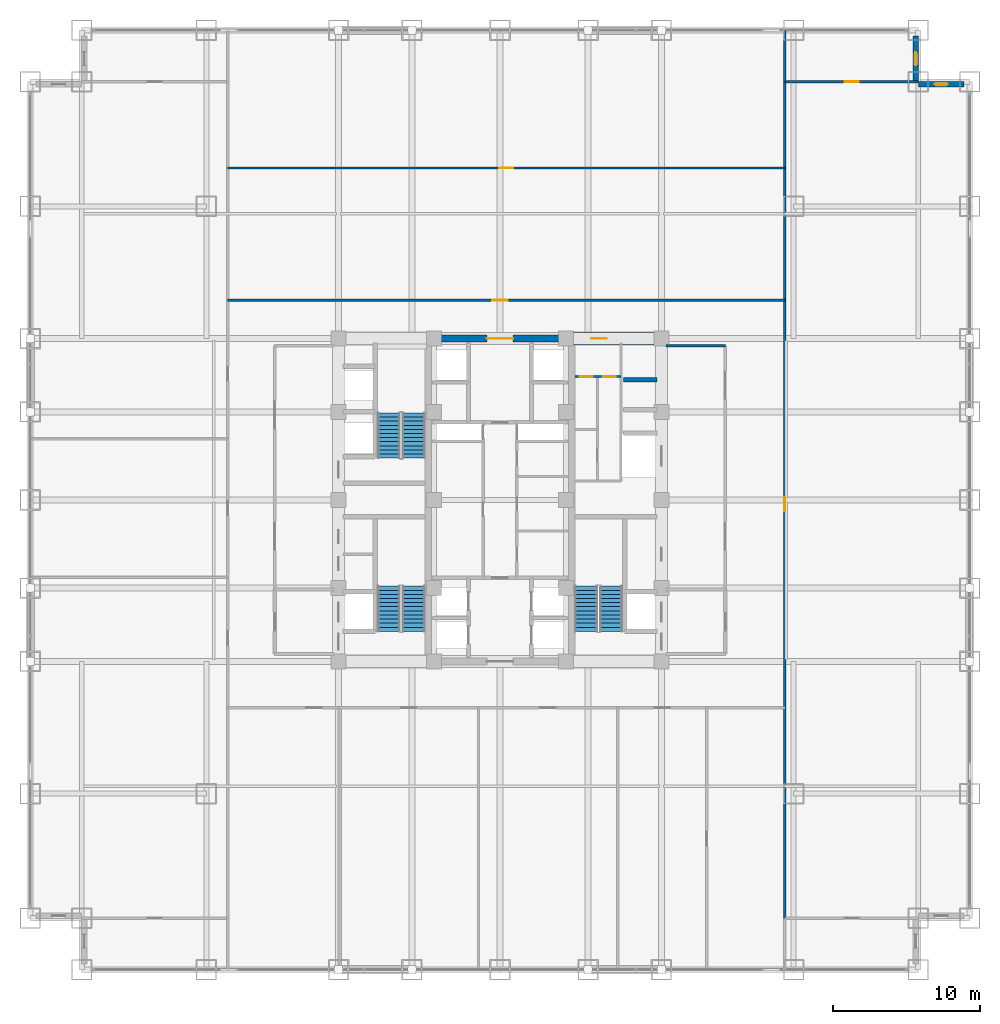
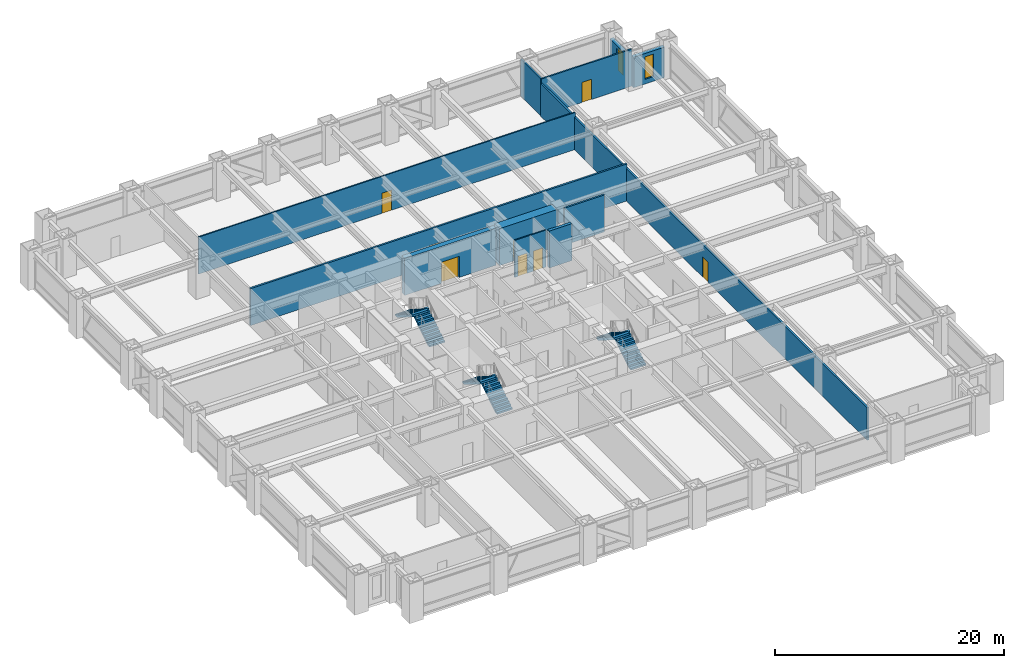
# One storey, part 26 of 27: 12 walls, 8 doors, 6 stair flights, 2 windows, 10 openings, 3 elements without a shape of their own.
"""IFC4 building model written with IfcOpenShell, lengths in metres."""

from ifc_helpers import new_model, si_unit, direction, frame, frame_2d, origin, place, context, subcontext, project, spatial, polyline, rectangle, outline, extrude, source, transform, mapped, material, layer, layer_set, type_object, element, fill, aggregate, save


model = new_model("IFC4")

# Units and contexts
model_context = context("Model", 3, precision=1e-05, world=origin(), true_north=direction((0.0, 1.0)))
body_context = subcontext(model_context, "Body", "Model", "MODEL_VIEW")
ifc_project = project(units=[si_unit("LENGTHUNIT", "METRE"), si_unit("AREAUNIT", "SQUARE_METRE"), si_unit("VOLUMEUNIT", "CUBIC_METRE"), si_unit("PLANEANGLEUNIT", "RADIAN"), si_unit("MASSUNIT", "GRAM", prefix="KILO")], contexts=[model_context])

# Site, building, storey
site_placement = place(None, origin())
site = spatial("IfcSite", under=ifc_project, at=site_placement, CompositionType="ELEMENT")
building_placement = place(site_placement, origin())
building = spatial("IfcBuilding", under=site, at=building_placement, Name="Khorayat Bourse Tower", CompositionType="ELEMENT")
storey_placement = place(building_placement, frame((0.0, 0.0, 49.39990234375)))
storey = spatial("IfcBuildingStorey", under=building, at=storey_placement, Name="L10", CompositionType="ELEMENT", Elevation=49.39990234375)

# Wall, opening, door
ifc_material_1 = material(Name="Concrete C72/90", Category="concrete")
ifc_layer_1 = layer(ifc_material_1, 0.89990234375)
ifc_layer_set_1 = layer_set([ifc_layer_1], Name="Concrete C72/90")
wall_type_1 = type_object("IfcWallType", Name="WAL-CORE-900", PredefinedType="SHEAR", material=ifc_layer_set_1)
shared_shape_1 = source(origin(), body_context, "Body", "SweptSolid", [
    extrude(rectangle(XDim=5.849853515625, YDim=0.89990234375, at=frame_2d((2.9248046875, 0.0))), origin(), (0.0, 0.0, 1.0), 3.940185546875),
])
wall_1_placement = place(storey_placement, frame((4.85009765625, 11.0, 0.0), z_axis=(0.0, 0.0, 1.0), x_axis=(1.0, 0.0, 0.0)))
wall_1 = element("IfcWall", 1, at=wall_1_placement, inside=storey, type_object=wall_type_1, Name="L10 Core Shear Wall PIER-EN", PredefinedType="SHEAR", context=body_context, shape_type="MappedRepresentation", body=[
    mapped(shared_shape_1, transform((0.0, 0.0, 0.0), scale=1.0)),
])
shared_shape_2 = source(origin(), body_context, "Body", "SweptSolid", [
    extrude(rectangle(XDim=1.050048828125, YDim=2.199951171875, at=frame_2d((0.52490234375, 1.10009765625))), frame((0.0, 0.4599609375, 0.0), z_axis=(0.0, -1.0, 0.0), x_axis=(1.0, 0.0, 0.0)), (0.0, 0.0, 1.0), 0.919921875),
])
opening_1_placement = place(wall_1_placement, frame((1.375, 0.0, 0.0)))
opening_1 = element("IfcOpeningElement", 2, at=opening_1_placement, cuts=wall_1, Name="Opening DI-04", PredefinedType="OPENING", context=body_context, shape_type="MappedRepresentation", body=[
    mapped(shared_shape_2, transform((0.0, 0.0, 0.0), scale=1.0)),
])
ifc_material_2 = material(Name="Fire-rated oak veneer suite entrance door")
door_type_1 = type_object("IfcDoorType", Name="DR-INT-SUITE-1050", OperationType="NOTDEFINED", PredefinedType="DOOR", material=ifc_material_2)
shared_shape_3 = source(origin(), body_context, "Body", "SweptSolid", [
    extrude(rectangle(XDim=1.050048828125, YDim=2.199951171875, at=frame_2d((0.52490234375, 1.10009765625))), frame((0.0, 0.02490234375, 0.0), z_axis=(0.0, -1.0, 0.0), x_axis=(1.0, 0.0, 0.0)), (0.0, 0.0, 1.0), 0.050048828125),
])
door_1_placement = place(opening_1_placement, origin())
door_1 = element("IfcDoor", 3, at=door_1_placement, inside=storey, type_object=door_type_1, Name="L10 Core Washroom Lobby Door", OperationType="SINGLE_SWING_LEFT", OverallHeight=2.199951171875, OverallWidth=1.050048828125, PredefinedType="DOOR", context=body_context, shape_type="MappedRepresentation", body=[
    mapped(shared_shape_3, transform((0.0, 0.0, 0.0), scale=1.0)),
])
fill(opening_1, door_1)

ifc_material_3 = material(Name="Concrete C52/65", Category="concrete")
ifc_layer_2 = layer(ifc_material_3, 0.5)
ifc_layer_set_2 = layer_set([ifc_layer_2], Name="Concrete C52/65")
wall_type_2 = type_object("IfcWallType", Name="WAL-CORE-500", PredefinedType="SHEAR", material=ifc_layer_set_2)
shared_shape_4 = source(origin(), body_context, "Body", "SweptSolid", [
    extrude(rectangle(XDim=9.2001953125, YDim=0.5, at=frame_2d((4.60009765625, 0.0))), origin(), (0.0, 0.0, 1.0), 3.940185546875),
])
wall_2_placement = place(storey_placement, frame((-4.60009765625, 11.0, 0.0), z_axis=(0.0, 0.0, 1.0), x_axis=(1.0, 0.0, 0.0)))
wall_2 = element("IfcWall", 4, at=wall_2_placement, inside=storey, type_object=wall_type_2, Name="L10 Core Shear Wall CORE-N", PredefinedType="SHEAR", context=body_context, shape_type="MappedRepresentation", body=[
    mapped(shared_shape_4, transform((0.0, 0.0, 0.0), scale=1.0)),
])
shared_shape_5 = source(origin(), body_context, "Body", "SweptSolid", [
    extrude(rectangle(XDim=1.800048828125, YDim=2.25, at=frame_2d((0.89990234375, 1.125))), frame((0.0, 0.260009765625, 0.0), z_axis=(0.0, -1.0, 0.0), x_axis=(1.0, 0.0, 0.0)), (0.0, 0.0, 1.0), 0.52001953125),
])
opening_2_placement = place(wall_2_placement, frame((3.699951171875, 0.0, 0.0)))
opening_2 = element("IfcOpeningElement", 5, at=opening_2_placement, cuts=wall_2, Name="Opening DI-03", PredefinedType="OPENING", context=body_context, shape_type="MappedRepresentation", body=[
    mapped(shared_shape_5, transform((0.0, 0.0, 0.0), scale=1.0)),
])
ifc_material_4 = material(Name="Fire-rated hardwood vision-panel double leaf", Category="wood")
door_type_2 = type_object("IfcDoorType", Name="DR-INT-CORR-1800", OperationType="NOTDEFINED", PredefinedType="DOOR", material=ifc_material_4)
shared_shape_6 = source(origin(), body_context, "Body", "SweptSolid", [
    extrude(rectangle(XDim=1.800048828125, YDim=2.25, at=frame_2d((0.89990234375, 1.125))), frame((0.0, 0.02490234375, 0.0), z_axis=(0.0, -1.0, 0.0), x_axis=(1.0, 0.0, 0.0)), (0.0, 0.0, 1.0), 0.050048828125),
])
door_2_placement = place(opening_2_placement, origin())
door_2 = element("IfcDoor", 6, at=door_2_placement, inside=storey, type_object=door_type_2, Name="L10 Mid-Rise Lift Lobby Door", OperationType="SINGLE_SWING_RIGHT", OverallHeight=2.25, OverallWidth=1.800048828125, PredefinedType="DOOR", context=body_context, shape_type="MappedRepresentation", body=[
    mapped(shared_shape_6, transform((0.0, 0.0, 0.0), scale=1.0)),
])
fill(opening_2, door_2)

# Wall, opening, window
ifc_material_5 = material(Name="Precast concrete C45/55", Category="concrete")
ifc_layer_3 = layer(ifc_material_5, 0.3798828125)
ifc_layer_set_3 = layer_set([ifc_layer_3], Name="Precast concrete C45/55")
wall_type_3 = type_object("IfcWallType", Name="WAL-EXT-STONE-380", PredefinedType="STANDARD", material=ifc_layer_set_3)
shared_shape_7 = source(origin(), body_context, "Body", "SweptSolid", [
    extrude(rectangle(XDim=3.1201171875, YDim=0.3798828125, at=frame_2d((1.56005859375, 0.0))), origin(), (0.0, 0.0, 1.0), 3.2451171875),
])
wall_3_placement = place(storey_placement, frame((28.5, 28.31005859375, 0.0), z_axis=(0.0, 0.0, 1.0), x_axis=(1.0, 0.0, 0.0)))
wall_3 = element("IfcWall", 7, at=wall_3_placement, inside=storey, type_object=wall_type_3, Name="L10 Re-Entrant Notch Limestone Wall NE-H", PredefinedType="STANDARD", context=body_context, shape_type="MappedRepresentation", body=[
    mapped(shared_shape_7, transform((0.0, 0.0, 0.0), scale=1.0)),
])
shared_shape_8 = source(origin(), body_context, "Body", "SweptSolid", [
    extrude(rectangle(XDim=0.89990234375, YDim=2.39990234375, at=frame_2d((0.449951171875, 1.199951171875))), frame((0.0, 0.199951171875, 0.0), z_axis=(0.0, -1.0, 0.0), x_axis=(1.0, 0.0, 0.0)), (0.0, 0.0, 1.0), 0.39990234375),
])
opening_3_placement = place(wall_3_placement, frame((1.110107421875, 0.0, 0.5)))
opening_3 = element("IfcOpeningElement", 8, at=opening_3_placement, cuts=wall_3, Name="Opening WN-03", PredefinedType="OPENING", context=body_context, shape_type="MappedRepresentation", body=[
    mapped(shared_shape_8, transform((0.0, 0.0, 0.0), scale=1.0)),
])
ifc_material_6 = material(Name="Deep-reveal solar-control double glazing", Category="glass")
window_type = type_object("IfcWindowType", Name="WIN-SLOT-900x2400", PartitioningType="SINGLE_PANEL", PredefinedType="WINDOW", material=ifc_material_6)
shared_shape_9 = source(origin(), body_context, "Body", "SweptSolid", [
    extrude(rectangle(XDim=0.89990234375, YDim=2.39990234375, at=frame_2d((0.449951171875, 1.199951171875))), frame((0.0, 0.030029296875, 0.0), z_axis=(0.0, -1.0, 0.0), x_axis=(1.0, 0.0, 0.0)), (0.0, 0.0, 1.0), 0.06005859375),
])
window_1_placement = place(opening_3_placement, origin())
window_1 = element("IfcWindow", 9, at=window_1_placement, inside=storey, type_object=window_type, Name="L10 Facade Window 1", OverallHeight=2.39990234375, OverallWidth=0.89990234375, PartitioningType="SINGLE_PANEL", PredefinedType="WINDOW", context=body_context, shape_type="MappedRepresentation", body=[
    mapped(shared_shape_9, transform((0.0, 0.0, 0.0), scale=1.0)),
])
fill(opening_3, window_1)

wall_4_placement = place(storey_placement, frame((28.31005859375, 28.5, 0.0), z_axis=(0.0, 0.0, 1.0), x_axis=(0.0, 1.0, 0.0)))
wall_4 = element("IfcWall", 10, at=wall_4_placement, inside=storey, type_object=wall_type_3, Name="L10 Re-Entrant Notch Limestone Wall NE-V", PredefinedType="STANDARD", context=body_context, shape_type="MappedRepresentation", body=[
    mapped(shared_shape_7, transform((0.0, 0.0, 0.0), scale=1.0)),
])
opening_4_placement = place(wall_4_placement, frame((1.110107421875, 0.0, 0.5)))
opening_4 = element("IfcOpeningElement", 11, at=opening_4_placement, cuts=wall_4, Name="Opening WN-03", PredefinedType="OPENING", context=body_context, shape_type="MappedRepresentation", body=[
    mapped(shared_shape_8, transform((0.0, 0.0, 0.0), scale=1.0)),
])
window_2_placement = place(opening_4_placement, origin())
window_2 = element("IfcWindow", 12, at=window_2_placement, inside=storey, type_object=window_type, Name="L10 Facade Window 1", OverallHeight=2.39990234375, OverallWidth=0.89990234375, PartitioningType="SINGLE_PANEL", PredefinedType="WINDOW", context=body_context, shape_type="MappedRepresentation", body=[
    mapped(shared_shape_9, transform((0.0, 0.0, 0.0), scale=1.0)),
])
fill(opening_4, window_2)

# Wall
ifc_material_7 = material(Name="Concrete C50/60", Category="concrete")
ifc_layer_4 = layer(ifc_material_7, 0.300048828125)
ifc_layer_set_4 = layer_set([ifc_layer_4], Name="Concrete C50/60")
wall_type_4 = type_object("IfcWallType", Name="WAL-SHAFT-300", PredefinedType="SHEAR", material=ifc_layer_set_4)
shared_shape_10 = source(origin(), body_context, "Body", "SweptSolid", [
    extrude(rectangle(XDim=2.300048828125, YDim=0.300048828125, at=frame_2d((1.14990234375, 0.0))), origin(), (0.0, 0.0, 1.0), 3.940185546875),
])
wall_5_placement = place(storey_placement, frame((8.39990234375, 8.199951171875, 0.0), z_axis=(0.0, 0.0, 1.0), x_axis=(1.0, 0.0, 0.0)))
element("IfcWall", 13, at=wall_5_placement, inside=storey, type_object=wall_type_4, Name="L10 Partition WAL-L10-EPIER-H34", PredefinedType="SHEAR", context=body_context, shape_type="MappedRepresentation", body=[
    mapped(shared_shape_10, transform((0.0, 0.0, 0.0), scale=1.0)),
])

# Wall, openings, doors
ifc_material_8 = material(Name="Moisture-resistant masonry partition", Category="masonry")
ifc_layer_5 = layer(ifc_material_8, 0.139892578125)
ifc_layer_set_5 = layer_set([ifc_layer_5], Name="Moisture-resistant masonry partition")
wall_type_5 = type_object("IfcWallType", Name="WAL-PART-WET-140", PredefinedType="PARTITIONING", material=ifc_layer_set_5)
shared_shape_11 = source(origin(), body_context, "Body", "SweptSolid", [
    extrude(rectangle(XDim=3.14990234375, YDim=0.139892578125, at=frame_2d((1.574951171875, 0.0))), origin(), (0.0, 0.0, 1.0), 3.940185546875),
])
wall_6_placement = place(storey_placement, frame((5.10009765625, 8.39990234375, 0.0), z_axis=(0.0, 0.0, 1.0), x_axis=(1.0, 0.0, 0.0)))
wall_6 = element("IfcWall", 14, at=wall_6_placement, inside=storey, type_object=wall_type_5, Name="L10 Partition WAL-L10-ECW-TOP", PredefinedType="PARTITIONING", context=body_context, shape_type="MappedRepresentation", body=[
    mapped(shared_shape_11, transform((0.0, 0.0, 0.0), scale=1.0)),
])
shared_shape_12 = source(origin(), body_context, "Body", "SweptSolid", [
    extrude(rectangle(XDim=0.89990234375, YDim=2.14990234375, at=frame_2d((0.449951171875, 1.074951171875))), frame((0.0, 0.079833984375, 0.0), z_axis=(0.0, -1.0, 0.0), x_axis=(1.0, 0.0, 0.0)), (0.0, 0.0, 1.0), 0.159912109375),
])
opening_5_placement = place(wall_6_placement, frame((0.330078125, 0.0, 0.0)))
opening_5 = element("IfcOpeningElement", 15, at=opening_5_placement, cuts=wall_6, Name="Opening DI-06", PredefinedType="OPENING", context=body_context, shape_type="MappedRepresentation", body=[
    mapped(shared_shape_12, transform((0.0, 0.0, 0.0), scale=1.0)),
])
opening_6_placement = place(wall_6_placement, frame((1.89990234375, 0.0, 0.0)))
opening_6 = element("IfcOpeningElement", 16, at=opening_6_placement, cuts=wall_6, Name="Opening DI-06", PredefinedType="OPENING", context=body_context, shape_type="MappedRepresentation", body=[
    mapped(shared_shape_12, transform((0.0, 0.0, 0.0), scale=1.0)),
])
ifc_material_9 = material(Name="Moisture-resistant laminate washroom door")
door_type_3 = type_object("IfcDoorType", Name="DR-INT-WC-900", OperationType="NOTDEFINED", PredefinedType="DOOR", material=ifc_material_9)
shared_shape_13 = source(origin(), body_context, "Body", "SweptSolid", [
    extrude(rectangle(XDim=0.89990234375, YDim=2.14990234375, at=frame_2d((0.449951171875, 1.074951171875))), frame((0.0, 0.02490234375, 0.0), z_axis=(0.0, -1.0, 0.0), x_axis=(1.0, 0.0, 0.0)), (0.0, 0.0, 1.0), 0.050048828125),
])
door_3_placement = place(opening_5_placement, origin())
door_3 = element("IfcDoor", 17, at=door_3_placement, inside=storey, type_object=door_type_3, Name="L10 Accessible WC Door", OperationType="SINGLE_SWING_LEFT", OverallHeight=2.14990234375, OverallWidth=0.89990234375, PredefinedType="DOOR", context=body_context, shape_type="MappedRepresentation", body=[
    mapped(shared_shape_13, transform((0.0, 0.0, 0.0), scale=1.0)),
])
fill(opening_5, door_3)
door_4_placement = place(opening_6_placement, origin())
door_4 = element("IfcDoor", 18, at=door_4_placement, inside=storey, type_object=door_type_3, Name="L10 Shared Washroom Door", OperationType="SINGLE_SWING_RIGHT", OverallHeight=2.14990234375, OverallWidth=0.89990234375, PredefinedType="DOOR", context=body_context, shape_type="MappedRepresentation", body=[
    mapped(shared_shape_13, transform((0.0, 0.0, 0.0), scale=1.0)),
])
fill(opening_6, door_4)

# Wall
ifc_material_10 = material(Name="Gypsum plasterboard acoustic stud wall")
ifc_layer_6 = layer(ifc_material_10, 0.179931640625)
ifc_layer_set_6 = layer_set([ifc_layer_6], Name="Gypsum plasterboard acoustic stud wall")
wall_type_6 = type_object("IfcWallType", Name="WAL-PART-CORR-180", PredefinedType="PARTITIONING", material=ifc_layer_set_6)
shared_shape_14 = source(origin(), body_context, "Body", "SweptSolid", [
    extrude(rectangle(XDim=4.050048828125, YDim=0.179931640625, at=frame_2d((2.02490234375, 0.0))), origin(), (0.0, 0.0, 1.0), 3.940185546875),
])
wall_7_placement = place(storey_placement, frame((11.300048828125, 10.5, 0.0), z_axis=(0.0, 0.0, 1.0), x_axis=(1.0, 0.0, 0.0)))
element("IfcWall", 19, at=wall_7_placement, inside=storey, type_object=wall_type_6, Name="L10 Partition WAL-L10-ELOB-N", PredefinedType="PARTITIONING", context=body_context, shape_type="MappedRepresentation", body=[
    mapped(shared_shape_14, transform((0.0, 0.0, 0.0), scale=1.0)),
])

# Wall, opening, door
shared_shape_15 = source(origin(), body_context, "Body", "SweptSolid", [
    extrude(rectangle(XDim=37.949951171875, YDim=0.179931640625, at=frame_2d((18.97509765625, 0.0))), origin(), (0.0, 0.0, 1.0), 3.940185546875),
])
wall_8_placement = place(storey_placement, frame((-18.550048828125, 13.60009765625, 0.0), z_axis=(0.0, 0.0, 1.0), x_axis=(1.0, 0.0, 0.0)))
wall_8 = element("IfcWall", 20, at=wall_8_placement, inside=storey, type_object=wall_type_6, Name="L10 Partition WAL-L10-NCORR", PredefinedType="PARTITIONING", context=body_context, shape_type="MappedRepresentation", body=[
    mapped(shared_shape_15, transform((0.0, 0.0, 0.0), scale=1.0)),
])
shared_shape_16 = source(origin(), body_context, "Body", "SweptSolid", [
    extrude(rectangle(XDim=1.050048828125, YDim=2.199951171875, at=frame_2d((0.52490234375, 1.10009765625))), frame((0.0, 0.099853515625, 0.0), z_axis=(0.0, -1.0, 0.0), x_axis=(1.0, 0.0, 0.0)), (0.0, 0.0, 1.0), 0.199951171875),
])
opening_7_placement = place(wall_8_placement, frame((18.02490234375, 0.0, 0.0)))
opening_7 = element("IfcOpeningElement", 21, at=opening_7_placement, cuts=wall_8, Name="Opening DI-04", PredefinedType="OPENING", context=body_context, shape_type="MappedRepresentation", body=[
    mapped(shared_shape_16, transform((0.0, 0.0, 0.0), scale=1.0)),
])
door_5_placement = place(opening_7_placement, origin())
door_5 = element("IfcDoor", 22, at=door_5_placement, inside=storey, type_object=door_type_1, Name="L10 Members Exchange Lounge N1 Door", OperationType="SINGLE_SWING_RIGHT", OverallHeight=2.199951171875, OverallWidth=1.050048828125, PredefinedType="DOOR", context=body_context, shape_type="MappedRepresentation", body=[
    mapped(shared_shape_3, transform((0.0, 0.0, 0.0), scale=1.0)),
])
fill(opening_7, door_5)

ifc_material_11 = material(Name="Gypsum plasterboard partition")
ifc_layer_7 = layer(ifc_material_11, 0.125)
ifc_layer_set_7 = layer_set([ifc_layer_7], Name="Gypsum plasterboard partition")
wall_type_7 = type_object("IfcWallType", Name="WAL-PART-ROOM-125", PredefinedType="PARTITIONING", material=ifc_layer_set_7)
shared_shape_17 = source(origin(), body_context, "Body", "SweptSolid", [
    extrude(rectangle(XDim=37.949951171875, YDim=0.125, at=frame_2d((18.97509765625, 0.0))), origin(), (0.0, 0.0, 1.0), 3.940185546875),
])
wall_9_placement = place(storey_placement, frame((-18.550048828125, 22.615966796875, 0.0), z_axis=(0.0, 0.0, 1.0), x_axis=(1.0, 0.0, 0.0)))
wall_9 = element("IfcWall", 23, at=wall_9_placement, inside=storey, type_object=wall_type_7, Name="L10 Partition WAL-L10-NDP-1", PredefinedType="PARTITIONING", context=body_context, shape_type="MappedRepresentation", body=[
    mapped(shared_shape_17, transform((0.0, 0.0, 0.0), scale=1.0)),
])
shared_shape_18 = source(origin(), body_context, "Body", "SweptSolid", [
    extrude(rectangle(XDim=0.949951171875, YDim=2.14990234375, at=frame_2d((0.47509765625, 1.074951171875))), frame((0.0, 0.072509765625, 0.0), z_axis=(0.0, -1.0, 0.0), x_axis=(1.0, 0.0, 0.0)), (0.0, 0.0, 1.0), 0.14501953125),
])
opening_8_placement = place(wall_9_placement, frame((18.5, 0.0, 0.0)))
opening_8 = element("IfcOpeningElement", 24, at=opening_8_placement, cuts=wall_9, Name="Opening DI-05", PredefinedType="OPENING", context=body_context, shape_type="MappedRepresentation", body=[
    mapped(shared_shape_18, transform((0.0, 0.0, 0.0), scale=1.0)),
])
ifc_material_12 = material(Name="Acoustic oak veneer office door")
door_type_4 = type_object("IfcDoorType", Name="DR-INT-OFFICE-950", OperationType="NOTDEFINED", PredefinedType="DOOR", material=ifc_material_12)
shared_shape_19 = source(origin(), body_context, "Body", "SweptSolid", [
    extrude(rectangle(XDim=0.949951171875, YDim=2.14990234375, at=frame_2d((0.47509765625, 1.074951171875))), frame((0.0, 0.02490234375, 0.0), z_axis=(0.0, -1.0, 0.0), x_axis=(1.0, 0.0, 0.0)), (0.0, 0.0, 1.0), 0.050048828125),
])
door_6_placement = place(opening_8_placement, origin())
door_6 = element("IfcDoor", 25, at=door_6_placement, inside=storey, type_object=door_type_4, Name="L10 Staff Tea Pantry N1B Door", OperationType="SINGLE_SWING_RIGHT", OverallHeight=2.14990234375, OverallWidth=0.949951171875, PredefinedType="DOOR", context=body_context, shape_type="MappedRepresentation", body=[
    mapped(shared_shape_19, transform((0.0, 0.0, 0.0), scale=1.0)),
])
fill(opening_8, door_6)

# Wall
ifc_material_13 = material(Name="Gypsum plasterboard twin-frame partition")
ifc_layer_8 = layer(ifc_material_13, 0.14990234375)
ifc_layer_set_8 = layer_set([ifc_layer_8], Name="Gypsum plasterboard twin-frame partition")
wall_type_8 = type_object("IfcWallType", Name="WAL-PART-SUITE-150", PredefinedType="PARTITIONING", material=ifc_layer_set_8)
shared_shape_20 = source(origin(), body_context, "Body", "SweptSolid", [
    extrude(rectangle(XDim=3.5, YDim=0.14990234375, at=frame_2d((1.75, 0.0))), origin(), (0.0, 0.0, 1.0), 3.940185546875),
])
wall_10_placement = place(storey_placement, frame((19.39990234375, 28.5, 0.0), z_axis=(0.0, 0.0, 1.0), x_axis=(0.0, 1.0, 0.0)))
element("IfcWall", 26, at=wall_10_placement, inside=storey, type_object=wall_type_8, Name="L10 Partition WAL-L10-NCE-END", PredefinedType="PARTITIONING", context=body_context, shape_type="MappedRepresentation", body=[
    mapped(shared_shape_20, transform((0.0, 0.0, 0.0), scale=1.0)),
])

# Wall, opening, door
shared_shape_21 = source(origin(), body_context, "Body", "SweptSolid", [
    extrude(rectangle(XDim=57.0, YDim=0.179931640625, at=frame_2d((28.5, 0.0))), origin(), (0.0, 0.0, 1.0), 3.47119140625),
])
wall_11_placement = place(storey_placement, frame((19.39990234375, -28.5, 0.0), z_axis=(0.0, 0.0, 1.0), x_axis=(0.0, 1.0, 0.0)))
wall_11 = element("IfcWall", 27, at=wall_11_placement, inside=storey, type_object=wall_type_6, Name="L10 Partition WAL-L10-ECORR", PredefinedType="PARTITIONING", context=body_context, shape_type="MappedRepresentation", body=[
    mapped(shared_shape_21, transform((0.0, 0.0, 0.0), scale=1.0)),
])
shared_shape_22 = source(origin(), body_context, "Body", "SweptSolid", [
    extrude(rectangle(XDim=0.949951171875, YDim=2.14990234375, at=frame_2d((0.47509765625, 1.074951171875))), frame((0.0, 0.099853515625, 0.0), z_axis=(0.0, -1.0, 0.0), x_axis=(1.0, 0.0, 0.0)), (0.0, 0.0, 1.0), 0.199951171875),
])
opening_9_placement = place(wall_11_placement, frame((27.75, 0.0, 0.0)))
opening_9 = element("IfcOpeningElement", 28, at=opening_9_placement, cuts=wall_11, Name="Opening DI-05", PredefinedType="OPENING", context=body_context, shape_type="MappedRepresentation", body=[
    mapped(shared_shape_22, transform((0.0, 0.0, 0.0), scale=1.0)),
])
door_7_placement = place(opening_9_placement, origin())
door_7 = element("IfcDoor", 29, at=door_7_placement, inside=storey, type_object=door_type_4, Name="L10 Executive Boardroom E1 Door", OperationType="SINGLE_SWING_RIGHT", OverallHeight=2.14990234375, OverallWidth=0.949951171875, PredefinedType="DOOR", context=body_context, shape_type="MappedRepresentation", body=[
    mapped(shared_shape_19, transform((0.0, 0.0, 0.0), scale=1.0)),
])
fill(opening_9, door_7)

shared_shape_23 = source(origin(), body_context, "Body", "SweptSolid", [
    extrude(rectangle(XDim=9.10009765625, YDim=0.14990234375, at=frame_2d((4.550048828125, 0.0))), origin(), (0.0, 0.0, 1.0), 3.940185546875),
])
wall_12_placement = place(storey_placement, frame((19.39990234375, 28.5, 0.0), z_axis=(0.0, 0.0, 1.0), x_axis=(1.0, 0.0, 0.0)))
wall_12 = element("IfcWall", 30, at=wall_12_placement, inside=storey, type_object=wall_type_8, Name="L10 Partition WAL-L10-CNE", PredefinedType="PARTITIONING", context=body_context, shape_type="MappedRepresentation", body=[
    mapped(shared_shape_23, transform((0.0, 0.0, 0.0), scale=1.0)),
])
shared_shape_24 = source(origin(), body_context, "Body", "SweptSolid", [
    extrude(rectangle(XDim=0.949951171875, YDim=2.14990234375, at=frame_2d((0.47509765625, 1.074951171875))), frame((0.0, 0.0849609375, 0.0), z_axis=(0.0, -1.0, 0.0), x_axis=(1.0, 0.0, 0.0)), (0.0, 0.0, 1.0), 0.169921875),
])
opening_10_placement = place(wall_12_placement, frame((4.074951171875, 0.0, 0.0)))
opening_10 = element("IfcOpeningElement", 31, at=opening_10_placement, cuts=wall_12, Name="Opening DI-05", PredefinedType="OPENING", context=body_context, shape_type="MappedRepresentation", body=[
    mapped(shared_shape_24, transform((0.0, 0.0, 0.0), scale=1.0)),
])
door_8_placement = place(opening_10_placement, origin())
door_8 = element("IfcDoor", 32, at=door_8_placement, inside=storey, type_object=door_type_4, Name="L10 North-East Corner Lounge Door", OperationType="SINGLE_SWING_LEFT", OverallHeight=2.14990234375, OverallWidth=0.949951171875, PredefinedType="DOOR", context=body_context, shape_type="MappedRepresentation", body=[
    mapped(shared_shape_19, transform((0.0, 0.0, 0.0), scale=1.0)),
])
fill(opening_10, door_8)

# Stair, stair flights
ifc_material_14 = material(Name="Concrete C40/50", Category="concrete")
stair_type = type_object("IfcStairType", Name="STR-CORE-1550", PredefinedType="HALF_TURN_STAIR", material=ifc_material_14)
stair_1_placement = place(storey_placement, origin())
stair_1 = element("IfcStair", 33, at=stair_1_placement, inside=storey, type_object=stair_type, Name="L10 Exit Stair ST-1", PredefinedType="HALF_TURN_STAIR")
stair_flight_type = type_object("IfcStairFlightType", Name="FLT-CORE-1550", PredefinedType="STRAIGHT", material=ifc_material_14)
shared_shape_25 = source(origin(), body_context, "Body", "SweptSolid", [
    extrude(outline(polyline([(0.0, 0.0), (0.0, 0.175048828125), (0.280029296875, 0.175048828125), (0.280029296875, 0.35009765625), (0.56005859375, 0.35009765625), (0.56005859375, 0.52490234375), (0.840087890625, 0.52490234375), (0.840087890625, 0.699951171875), (1.1201171875, 0.699951171875), (1.1201171875, 0.875), (1.39990234375, 0.875), (1.39990234375, 1.050048828125), (1.679931640625, 1.050048828125), (1.679931640625, 1.22509765625), (1.9599609375, 1.22509765625), (1.9599609375, 1.39990234375), (2.239990234375, 1.39990234375), (2.239990234375, 1.574951171875), (2.52001953125, 1.574951171875), (2.52001953125, 1.75), (2.800048828125, 1.75), (2.800048828125, 1.925048828125), (3.080078125, 1.925048828125), (3.080078125, 2.10009765625), (3.080078125, 1.712890625), (0.339599609375, 0.0), (0.0, 0.0)])), frame((0.0, 0.77490234375, 0.0), z_axis=(0.0, -1.0, 0.0), x_axis=(1.0, 0.0, 0.0)), (0.0, 0.0, 1.0), 1.550048828125),
])
stair_flight_1_placement = place(storey_placement, frame((-5.875, -8.949951171875, 0.0), z_axis=(0.0, 0.0, 1.0), x_axis=(0.0, 1.0, 0.0)))
stair_flight_1 = element("IfcStairFlight", 34, at=stair_flight_1_placement, type_object=stair_flight_type, Name="ST-1 flight 1", NumberOfRisers=12, NumberOfTreads=11, PredefinedType="STRAIGHT", RiserHeight=0.175, TreadLength=0.28, context=body_context, shape_type="MappedRepresentation", body=[
    mapped(shared_shape_25, transform((0.0, 0.0, 0.0), scale=1.0)),
])
stair_flight_2_placement = place(storey_placement, frame((-7.574951171875, -5.8701171875, 2.10009765625), z_axis=(0.0, 0.0, 1.0), x_axis=(0.0, -1.0, 0.0)))
stair_flight_2 = element("IfcStairFlight", 35, at=stair_flight_2_placement, type_object=stair_flight_type, Name="ST-1 flight 2", NumberOfRisers=12, NumberOfTreads=11, PredefinedType="STRAIGHT", RiserHeight=0.175, TreadLength=0.28, context=body_context, shape_type="MappedRepresentation", body=[
    mapped(shared_shape_25, transform((0.0, 0.0, 0.0), scale=1.0)),
])
aggregate(stair_1, [stair_flight_1, stair_flight_2])

stair_2_placement = place(storey_placement, origin())
stair_2 = element("IfcStair", 36, at=stair_2_placement, inside=storey, type_object=stair_type, Name="L10 Exit Stair ST-2", PredefinedType="HALF_TURN_STAIR")
stair_flight_3_placement = place(storey_placement, frame((-5.875, 2.85009765625, 0.0), z_axis=(0.0, 0.0, 1.0), x_axis=(0.0, 1.0, 0.0)))
stair_flight_3 = element("IfcStairFlight", 37, at=stair_flight_3_placement, type_object=stair_flight_type, Name="ST-2 flight 1", NumberOfRisers=12, NumberOfTreads=11, PredefinedType="STRAIGHT", RiserHeight=0.175, TreadLength=0.28, context=body_context, shape_type="MappedRepresentation", body=[
    mapped(shared_shape_25, transform((0.0, 0.0, 0.0), scale=1.0)),
])
stair_flight_4_placement = place(storey_placement, frame((-7.574951171875, 5.929931640625, 2.10009765625), z_axis=(0.0, 0.0, 1.0), x_axis=(0.0, -1.0, 0.0)))
stair_flight_4 = element("IfcStairFlight", 38, at=stair_flight_4_placement, type_object=stair_flight_type, Name="ST-2 flight 2", NumberOfRisers=12, NumberOfTreads=11, PredefinedType="STRAIGHT", RiserHeight=0.175, TreadLength=0.28, context=body_context, shape_type="MappedRepresentation", body=[
    mapped(shared_shape_25, transform((0.0, 0.0, 0.0), scale=1.0)),
])
aggregate(stair_2, [stair_flight_3, stair_flight_4])

stair_3_placement = place(storey_placement, origin())
stair_3 = element("IfcStair", 39, at=stair_3_placement, inside=storey, type_object=stair_type, Name="L10 Exit Stair ST-3", PredefinedType="HALF_TURN_STAIR")
stair_flight_5_placement = place(storey_placement, frame((7.574951171875, -8.949951171875, 0.0), z_axis=(0.0, 0.0, 1.0), x_axis=(0.0, 1.0, 0.0)))
stair_flight_5 = element("IfcStairFlight", 40, at=stair_flight_5_placement, type_object=stair_flight_type, Name="ST-3 flight 1", NumberOfRisers=12, NumberOfTreads=11, PredefinedType="STRAIGHT", RiserHeight=0.175, TreadLength=0.28, context=body_context, shape_type="MappedRepresentation", body=[
    mapped(shared_shape_25, transform((0.0, 0.0, 0.0), scale=1.0)),
])
stair_flight_6_placement = place(storey_placement, frame((5.875, -5.8701171875, 2.10009765625), z_axis=(0.0, 0.0, 1.0), x_axis=(0.0, -1.0, 0.0)))
stair_flight_6 = element("IfcStairFlight", 41, at=stair_flight_6_placement, type_object=stair_flight_type, Name="ST-3 flight 2", NumberOfRisers=12, NumberOfTreads=11, PredefinedType="STRAIGHT", RiserHeight=0.175, TreadLength=0.28, context=body_context, shape_type="MappedRepresentation", body=[
    mapped(shared_shape_25, transform((0.0, 0.0, 0.0), scale=1.0)),
])
aggregate(stair_3, [stair_flight_5, stair_flight_6])

save(model, "model.ifc")
